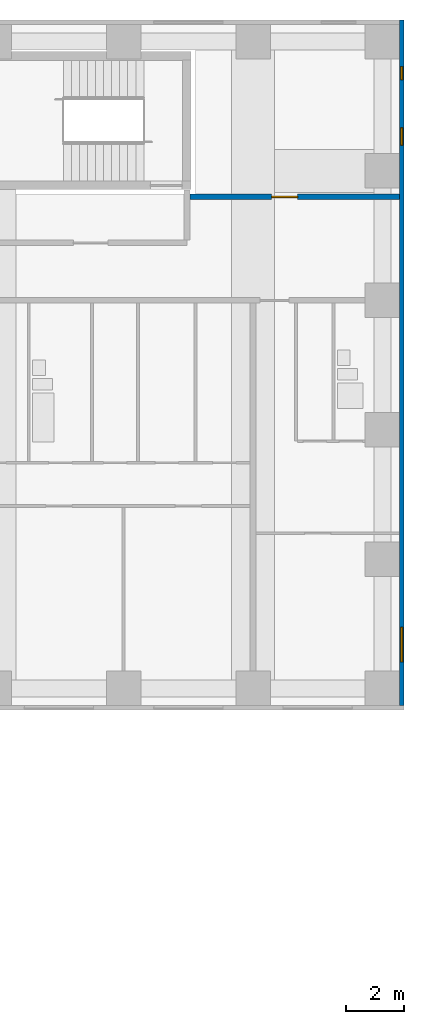
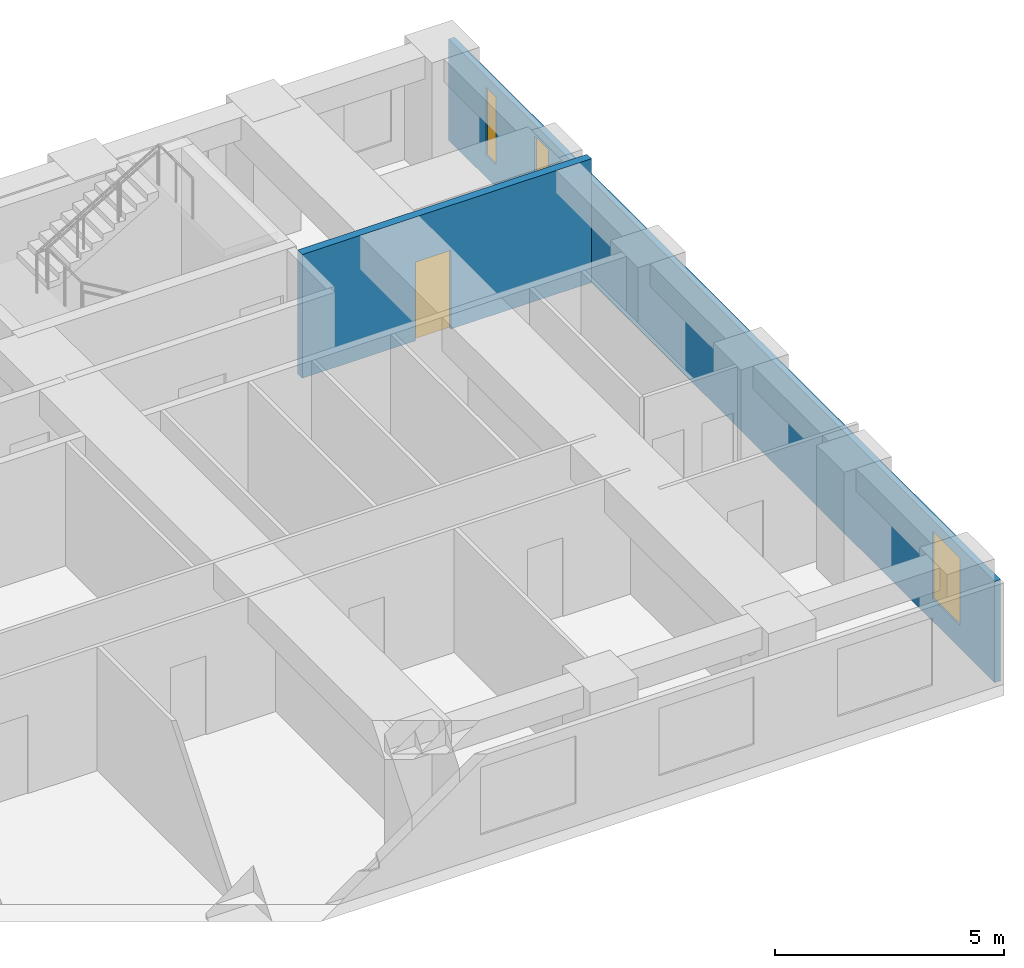
# One storey, part 9 of 12: 3 windows, 2 walls, 1 door, 4 openings.
"""IFC4 building model written with IfcOpenShell, lengths in metres."""

from ifc_helpers import new_model, si_unit, direction, frame, frame_2d, origin, place, context, subcontext, project, spatial, rectangle, extrude, material, layer, layer_set, type_object, element, fill, save


model = new_model("IFC4")

# Units and contexts
model_context = context("Model", 3, precision=1e-05, world=origin(), true_north=direction((0.0, 1.0)))
body_context = subcontext(model_context, "Body", "Model", "MODEL_VIEW")
ifc_project = project(units=[si_unit("LENGTHUNIT", "METRE"), si_unit("AREAUNIT", "SQUARE_METRE"), si_unit("VOLUMEUNIT", "CUBIC_METRE"), si_unit("PLANEANGLEUNIT", "RADIAN"), si_unit("MASSUNIT", "GRAM", prefix="KILO")], contexts=[model_context])

# Site, building, storey
site_placement = place(None, origin())
site = spatial("IfcSite", under=ifc_project, at=site_placement, CompositionType="ELEMENT")
building_placement = place(site_placement, origin())
building = spatial("IfcBuilding", under=site, at=building_placement, Name="Firuza Court", CompositionType="ELEMENT")
storey_placement = place(building_placement, frame((0.0, 0.0, 43.39990234375)))
storey = spatial("IfcBuildingStorey", under=building, at=storey_placement, Name="L09", CompositionType="ELEMENT", Elevation=43.39990234375)

# Wall, opening, door
ifc_material_1 = material(Name="Blockwork, plastered both sides", Category="masonry")
ifc_layer_1 = layer(ifc_material_1, 0.199951171875)
ifc_layer_set_1 = layer_set([ifc_layer_1], Name="Blockwork, plastered both sides")
wall_type_1 = type_object("IfcWallType", Name="Corridor wall 200", PredefinedType="PARTITIONING", material=ifc_layer_set_1)
wall_1_placement = place(storey_placement, frame((60.800048828125, 53.10009765625, 0.0), z_axis=(0.0, 0.0, 1.0), x_axis=(1.0, 0.0, 0.0)))
wall_1 = element("IfcWall", 1, at=wall_1_placement, inside=storey, type_object=wall_type_1, Name="Corridor wall 200 L09", PredefinedType="PARTITIONING", context=body_context, shape_type="SweptSolid", body=[
    extrude(rectangle(XDim=7.300048828125, YDim=0.199951171875, at=frame_2d((3.64990234375, 0.0))), origin(), (0.0, 0.0, 1.0), 3.300048828125),
])
opening_1_placement = place(wall_1_placement, frame((2.85009765625, 0.0, 0.0)))
opening_1 = element("IfcOpeningElement", 2, at=opening_1_placement, cuts=wall_1, Name="Opening D09080", PredefinedType="OPENING", context=body_context, shape_type="SweptSolid", body=[
    extrude(rectangle(XDim=0.89990234375, YDim=2.10009765625, at=frame_2d((0.449951171875, 1.050048828125))), frame((0.0, 0.11181640625, 0.0), z_axis=(0.0, -1.0, 0.0), x_axis=(1.0, 0.0, 0.0)), (0.0, 0.0, 1.0), 0.223876953125),
])
ifc_material_2 = material(Name="Timber door leaf in hardwood frame", Category="wood")
door_type = type_object("IfcDoorType", Name="Room door 900 EI 30", OperationType="SINGLE_SWING_LEFT", PredefinedType="DOOR", material=ifc_material_2)
door_placement = place(opening_1_placement, origin())
door = element("IfcDoor", 3, at=door_placement, inside=storey, type_object=door_type, Name="Meeting room door", OperationType="SINGLE_SWING_LEFT", OverallHeight=2.10009765625, OverallWidth=0.89990234375, PredefinedType="DOOR", context=body_context, shape_type="SweptSolid", body=[
    extrude(rectangle(XDim=0.89990234375, YDim=2.10009765625, at=frame_2d((0.449951171875, 1.050048828125))), frame((0.0, 0.02490234375, 0.0), z_axis=(0.0, -1.0, 0.0), x_axis=(1.0, 0.0, 0.0)), (0.0, 0.0, 1.0), 0.050048828125),
])
fill(opening_1, door)

# Wall, openings, windows
ifc_material_3 = material(Name="Ceramic tile", Category="ceramic")
ifc_layer_2 = layer(ifc_material_3, 0.02001953125)
ifc_material_4 = material(Name="Mineral wool insulation", Category="insulation")
ifc_layer_3 = layer(ifc_material_4, 0.050048828125)
ifc_material_5 = material(Name="Concrete C40/50 precast", Category="concrete")
ifc_layer_4 = layer(ifc_material_5, 0.080078125)
ifc_layer_set_2 = layer_set([ifc_layer_2, ifc_layer_3, ifc_layer_4], Name="Concrete C40/50 precast")
wall_type_2 = type_object("IfcWallType", Name="Precast cladding wall with turquoise TILE PANEL face 150", PredefinedType="STANDARD", material=ifc_layer_set_2)
wall_2_placement = place(storey_placement, frame((68.175048828125, 35.39990234375, 0.0), z_axis=(0.0, 0.0, 1.0), x_axis=(0.0, 1.0, 0.0)))
wall_2 = element("IfcWall", 4, at=wall_2_placement, inside=storey, type_object=wall_type_2, Name="Facade wall L09 E", PredefinedType="STANDARD", context=body_context, shape_type="SweptSolid", body=[
    extrude(rectangle(XDim=23.85009765625, YDim=0.14990234375, at=frame_2d((11.925048828125, 0.0))), origin(), (0.0, 0.0, 1.0), 2.7001953125),
])
opening_2_placement = place(wall_2_placement, frame((1.523193359375, 0.0, 0.60009765625)))
opening_2 = element("IfcOpeningElement", 5, at=opening_2_placement, cuts=wall_2, Name="Opening W8", PredefinedType="OPENING", context=body_context, shape_type="SweptSolid", body=[
    extrude(rectangle(XDim=1.199951171875, YDim=1.800048828125, at=frame_2d((0.60009765625, 0.89990234375))), frame((0.0, 0.0869140625, 0.0), z_axis=(0.0, -1.0, 0.0), x_axis=(1.0, 0.0, 0.0)), (0.0, 0.0, 1.0), 0.173828125),
])
opening_3_placement = place(wall_2_placement, frame((19.49951171875, 0.0, 0.60009765625)))
opening_3 = element("IfcOpeningElement", 6, at=opening_3_placement, cuts=wall_2, Name="Opening W4", PredefinedType="OPENING", context=body_context, shape_type="SweptSolid", body=[
    extrude(rectangle(XDim=0.60009765625, YDim=1.800048828125, at=frame_2d((0.300048828125, 0.89990234375))), frame((0.0, 0.0869140625, 0.0), z_axis=(0.0, -1.0, 0.0), x_axis=(1.0, 0.0, 0.0)), (0.0, 0.0, 1.0), 0.173828125),
])
opening_4_placement = place(wall_2_placement, frame((21.77978515625, 0.0, 0.60009765625)))
opening_4 = element("IfcOpeningElement", 7, at=opening_4_placement, cuts=wall_2, Name="Opening W5", PredefinedType="OPENING", context=body_context, shape_type="SweptSolid", body=[
    extrude(rectangle(XDim=0.449951171875, YDim=1.800048828125, at=frame_2d((0.22509765625, 0.89990234375))), frame((0.0, 0.0869140625, 0.0), z_axis=(0.0, -1.0, 0.0), x_axis=(1.0, 0.0, 0.0)), (0.0, 0.0, 1.0), 0.173828125),
])
ifc_material_6 = material(Name="Aluminium frame, triple clear glazing", Category="aluminium")
window_type_1 = type_object("IfcWindowType", Name="Window W4 600 x 1800", PartitioningType="SINGLE_PANEL", PredefinedType="WINDOW", material=ifc_material_6)
window_1_placement = place(opening_3_placement, origin())
window_1 = element("IfcWindow", 8, at=window_1_placement, inside=storey, type_object=window_type_1, Name="Window L09", OverallHeight=1.800048828125, OverallWidth=0.60009765625, PartitioningType="SINGLE_PANEL", PredefinedType="WINDOW", context=body_context, shape_type="SweptSolid", body=[
    extrude(rectangle(XDim=0.60009765625, YDim=1.800048828125, at=frame_2d((0.300048828125, 0.89990234375))), frame((0.0, 0.030029296875, 0.0), z_axis=(0.0, -1.0, 0.0), x_axis=(1.0, 0.0, 0.0)), (0.0, 0.0, 1.0), 0.06005859375),
])
fill(opening_3, window_1)
ifc_material_7 = material(Name="Aluminium frame, triple clear glazing", Category="aluminium")
window_type_2 = type_object("IfcWindowType", Name="Window W5 450 x 1800", PartitioningType="SINGLE_PANEL", PredefinedType="WINDOW", material=ifc_material_7)
window_2_placement = place(opening_4_placement, origin())
window_2 = element("IfcWindow", 9, at=window_2_placement, inside=storey, type_object=window_type_2, Name="Window L09", OverallHeight=1.800048828125, OverallWidth=0.449951171875, PartitioningType="SINGLE_PANEL", PredefinedType="WINDOW", context=body_context, shape_type="SweptSolid", body=[
    extrude(rectangle(XDim=0.449951171875, YDim=1.800048828125, at=frame_2d((0.22509765625, 0.89990234375))), frame((0.0, 0.030029296875, 0.0), z_axis=(0.0, -1.0, 0.0), x_axis=(1.0, 0.0, 0.0)), (0.0, 0.0, 1.0), 0.06005859375),
])
fill(opening_4, window_2)
ifc_material_8 = material(Name="Aluminium frame, triple clear glazing", Category="aluminium")
window_type_3 = type_object("IfcWindowType", Name="Window W8 1200 x 1800", PartitioningType="SINGLE_PANEL", PredefinedType="WINDOW", material=ifc_material_8)
window_3_placement = place(opening_2_placement, origin())
window_3 = element("IfcWindow", 10, at=window_3_placement, inside=storey, type_object=window_type_3, Name="Window L09", OverallHeight=1.800048828125, OverallWidth=1.199951171875, PartitioningType="SINGLE_PANEL", PredefinedType="WINDOW", context=body_context, shape_type="SweptSolid", body=[
    extrude(rectangle(XDim=1.199951171875, YDim=1.800048828125, at=frame_2d((0.60009765625, 0.89990234375))), frame((0.0, 0.030029296875, 0.0), z_axis=(0.0, -1.0, 0.0), x_axis=(1.0, 0.0, 0.0)), (0.0, 0.0, 1.0), 0.06005859375),
])
fill(opening_2, window_3)

save(model, "model.ifc")
